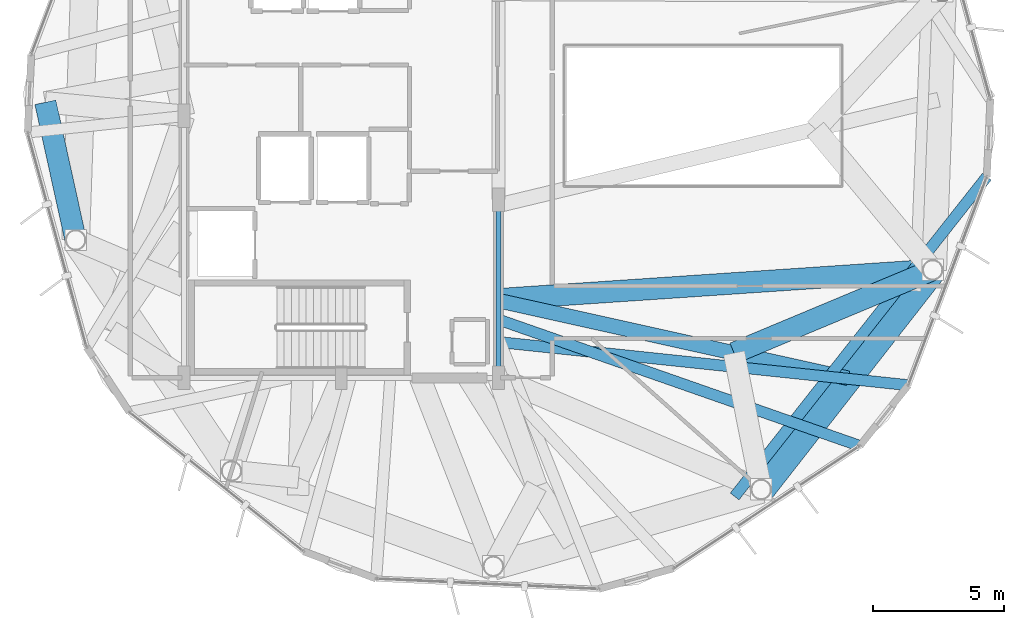
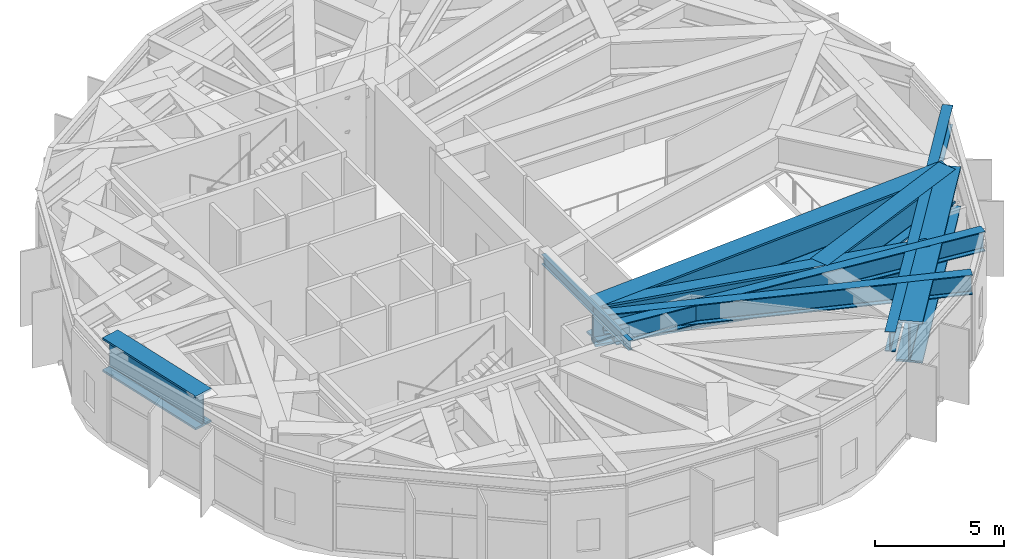
# One storey, part 9 of 27: 9 beams.
"""IFC4 building model written with IfcOpenShell, lengths in metres."""

from ifc_helpers import new_model, si_unit, direction, frame, origin, origin_2d, place, context, subcontext, project, spatial, i_section, extrude, material, material_profile, profile_set, type_object, element, save


model = new_model("IFC4")

# Units and contexts
model_context = context("Model", 3, precision=1e-05, world=origin(), true_north=direction((0.0, 1.0)))
body_context = subcontext(model_context, "Body", "Model", "MODEL_VIEW")
ifc_project = project(units=[si_unit("LENGTHUNIT", "METRE"), si_unit("AREAUNIT", "SQUARE_METRE"), si_unit("VOLUMEUNIT", "CUBIC_METRE"), si_unit("PLANEANGLEUNIT", "RADIAN"), si_unit("MASSUNIT", "GRAM", prefix="KILO")], contexts=[model_context])

# Site, building, storey
site_placement = place(None, origin())
site = spatial("IfcSite", under=ifc_project, at=site_placement, CompositionType="ELEMENT")
building_placement = place(site_placement, origin())
building = spatial("IfcBuilding", under=site, at=building_placement, Name="Soratama Intermodal Tower", CompositionType="ELEMENT")
storey_placement = place(building_placement, frame((0.0, 0.0, 288.550048828125)))
storey = spatial("IfcBuildingStorey", under=building, at=storey_placement, Name="L73", CompositionType="ELEMENT", Elevation=288.550048828125)

# Beams
ifc_material_1 = material(Name="Structural steel ASTM A992 Grade 50", Category="steel")
ifc_material_profile_1 = material_profile(ifc_material_1, i_section(OverallWidth=0.19091796875, OverallDepth=0.4599609375, WebThickness=0.010009765625, FlangeThickness=0.01611328125, FilletRadius=0.010986328125, at=origin_2d()), Name="W18X55")
ifc_profile_set_1 = profile_set([ifc_material_profile_1], Name="Structural steel ASTM A992 Grade 50")
beam_type_1 = type_object("IfcBeamType", Name="BM-FLR-W18X55", PredefinedType="BEAM", material=ifc_profile_set_1)
beam_1_placement = place(storey_placement, frame((44.60009765625, 15.0, 3.96484375), z_axis=(0.0, 1.0, 0.0), x_axis=(-1.0, 0.0, 0.0)))
element("IfcBeam", 1, at=beam_1_placement, inside=storey, type_object=beam_type_1, Name="BM-L73-CRING-03", PredefinedType="BEAM", context=body_context, shape_type="SweptSolid", body=[
    extrude(i_section(OverallWidth=0.19091796875, OverallDepth=0.4599609375, WebThickness=0.010009765625, FlangeThickness=0.01611328125, FilletRadius=0.010986328125, at=origin_2d()), origin(), (0.0, 0.0, 1.0), 6.800048828125),
])
ifc_material_2 = material(Name="Structural steel ASTM A992 Grade 50", Category="steel")
ifc_material_profile_2 = material_profile(ifc_material_2, i_section(OverallWidth=0.423095703125, OverallDepth=0.93896484375, WebThickness=0.02392578125, FlangeThickness=0.042724609375, FilletRadius=0.02392578125, at=origin_2d()), Name="W36X302")
ifc_profile_set_2 = profile_set([ifc_material_profile_2], Name="Structural steel ASTM A992 Grade 50")
beam_type_2 = type_object("IfcBeamType", Name="BM-POD-W36X302", PredefinedType="BEAM", material=ifc_profile_set_2)
beam_2_placement = place(storey_placement, frame((44.637939453125, 17.2080078125, 3.725341796875), z_axis=(0.94397645688, -0.330012801049, 0.0), x_axis=(0.330012801049, 0.94397645688, 0.0)))
element("IfcBeam", 2, at=beam_2_placement, inside=storey, type_object=beam_type_2, Name="BM-L73-TIE1-07", PredefinedType="BEAM", context=body_context, shape_type="SweptSolid", body=[
    extrude(i_section(OverallWidth=0.423095703125, OverallDepth=0.93896484375, WebThickness=0.02392578125, FlangeThickness=0.042724609375, FilletRadius=0.02392578125, at=origin_2d()), origin(), (0.0, 0.0, 1.0), 14.559814453125),
])
beam_3_placement = place(storey_placement, frame((44.639892578125, 16.362060546875, 3.725341796875), z_axis=(0.994501357042, -0.10472368806, 0.0), x_axis=(0.10472368806, 0.994501357042, 0.0)))
element("IfcBeam", 3, at=beam_3_placement, inside=storey, type_object=beam_type_2, Name="BM-L73-TIE0-08", PredefinedType="BEAM", context=body_context, shape_type="SweptSolid", body=[
    extrude(i_section(OverallWidth=0.423095703125, OverallDepth=0.93896484375, WebThickness=0.02392578125, FlangeThickness=0.042724609375, FilletRadius=0.02392578125, at=origin_2d()), origin(), (0.0, 0.0, 1.0), 15.68017578125),
])
beam_4_placement = place(storey_placement, frame((53.60595703125, 10.47509765625, 3.725341796875), z_axis=(0.619346235359, 0.785117978871, 0.0), x_axis=(-0.785117978871, 0.619346235359, 0.0)))
element("IfcBeam", 4, at=beam_4_placement, inside=storey, type_object=beam_type_2, Name="BM-L73-TIE1-08", PredefinedType="BEAM", context=body_context, shape_type="SweptSolid", body=[
    extrude(i_section(OverallWidth=0.423095703125, OverallDepth=0.93896484375, WebThickness=0.02392578125, FlangeThickness=0.042724609375, FilletRadius=0.02392578125, at=origin_2d()), origin(), (0.0, 0.0, 1.0), 15.5390625),
])
ifc_material_3 = material(Name="Structural steel ASTM A992 Grade 50", Category="steel")
ifc_material_profile_3 = material_profile(ifc_material_3, i_section(OverallWidth=0.56005859375, OverallDepth=1.919921875, WebThickness=0.05810546875, FlangeThickness=0.110107421875, FilletRadius=0.02392578125, at=origin_2d()), Name="PG2150X720")
ifc_profile_set_3 = profile_set([ifc_material_profile_3], Name="Structural steel ASTM A992 Grade 50")
beam_type_3 = type_object("IfcBeamType", Name="BM-ZSTEP-LONG", PredefinedType="BEAM", material=ifc_profile_set_3)
beam_5_placement = place(storey_placement, frame((57.93408203125, 14.98388671875, 3.23486328125), z_axis=(-0.976232040785, 0.216727945923, 0.0), x_axis=(-0.216727945923, -0.976232040785, 0.0)))
element("IfcBeam", 5, at=beam_5_placement, inside=storey, type_object=beam_type_3, Name="BM-L73-ZCHORD-09", PredefinedType="BEAM", context=body_context, shape_type="SweptSolid", body=[
    extrude(i_section(OverallWidth=0.56005859375, OverallDepth=1.919921875, WebThickness=0.05810546875, FlangeThickness=0.110107421875, FilletRadius=0.02392578125, at=origin_2d()), origin(), (0.0, 0.0, 1.0), 13.65869140625),
])
ifc_material_4 = material(Name="Structural steel ASTM A992 Grade 50", Category="steel")
ifc_material_profile_4 = material_profile(ifc_material_4, i_section(OverallWidth=0.820068359375, OverallDepth=1.699951171875, WebThickness=0.053955078125, FlangeThickness=0.087890625, FilletRadius=0.02392578125, at=origin_2d()), Name="PG1580X800")
ifc_profile_set_4 = profile_set([ifc_material_profile_4], Name="Structural steel ASTM A992 Grade 50")
beam_type_4 = type_object("IfcBeamType", Name="BM-ZSTEP-PG1580", PredefinedType="BEAM", material=ifc_profile_set_4)
beam_6_placement = place(storey_placement, frame((44.60009765625, 18.0, 3.344970703125), z_axis=(0.997733912176, 0.067283285401, 0.0), x_axis=(-0.067283285401, 0.997733912176, 0.0)))
element("IfcBeam", 6, at=beam_6_placement, inside=storey, type_object=beam_type_4, Name="BM-L73-RAD-10", PredefinedType="BEAM", context=body_context, shape_type="SweptSolid", body=[
    extrude(i_section(OverallWidth=0.820068359375, OverallDepth=1.699951171875, WebThickness=0.053955078125, FlangeThickness=0.087890625, FilletRadius=0.02392578125, at=origin_2d()), origin(), (0.0, 0.0, 1.0), 16.6005859375),
])
ifc_material_5 = material(Name="Structural steel ASTM A992 Grade 50", Category="steel")
ifc_material_profile_5 = material_profile(ifc_material_5, i_section(OverallWidth=0.820068359375, OverallDepth=1.60205078125, WebThickness=0.055908203125, FlangeThickness=0.092041015625, FilletRadius=0.02392578125, at=origin_2d()), Name="PG1600X650")
ifc_profile_set_5 = profile_set([ifc_material_profile_5], Name="Structural steel ASTM A992 Grade 50")
beam_type_5 = type_object("IfcBeamType", Name="BM-ZSTEP-PG1600", PredefinedType="BEAM", material=ifc_profile_set_5)
beam_7_placement = place(storey_placement, frame((27.30908203125, 25.512939453125, 3.39404296875), z_axis=(0.215060893934, -0.976600640948, 0.0), x_axis=(0.976600640948, 0.215060893934, 0.0)))
element("IfcBeam", 7, at=beam_7_placement, inside=storey, type_object=beam_type_5, Name="BM-L73-ZSTEP-B05", PredefinedType="BEAM", context=body_context, shape_type="SweptSolid", body=[
    extrude(i_section(OverallWidth=0.820068359375, OverallDepth=1.60205078125, WebThickness=0.055908203125, FlangeThickness=0.092041015625, FilletRadius=0.02392578125, at=origin_2d()), origin(), (0.0, 0.0, 1.0), 5.3798828125),
])
beam_8_placement = place(storey_placement, frame((53.583984375, 15.949951171875, 3.39404296875), z_axis=(0.92268601806, 0.385552217056, 0.0), x_axis=(-0.385552217056, 0.92268601806, 0.0)))
element("IfcBeam", 8, at=beam_8_placement, inside=storey, type_object=beam_type_5, Name="BM-L73-ZSTEP-B09", PredefinedType="BEAM", context=body_context, shape_type="SweptSolid", body=[
    extrude(i_section(OverallWidth=0.820068359375, OverallDepth=1.60205078125, WebThickness=0.055908203125, FlangeThickness=0.092041015625, FilletRadius=0.02392578125, at=origin_2d()), origin(), (0.0, 0.0, 1.0), 8.214111328125),
])
ifc_material_6 = material(Name="Structural steel ASTM A992 Grade 50", Category="steel")
ifc_material_profile_6 = material_profile(ifc_material_6, i_section(OverallWidth=1.06005859375, OverallDepth=1.9599609375, WebThickness=0.05810546875, FlangeThickness=0.095947265625, FilletRadius=0.02392578125, at=origin_2d()), Name="PG2400X900")
ifc_profile_set_6 = profile_set([ifc_material_profile_6], Name="Structural steel ASTM A992 Grade 50")
beam_type_6 = type_object("IfcBeamType", Name="BM-ZSTEP-PG2400", PredefinedType="BEAM", material=ifc_profile_set_6)
beam_9_placement = place(storey_placement, frame((54.617919921875, 10.740966796875, 3.21484375), z_axis=(0.6157278291, 0.787958907858, 0.0), x_axis=(-0.787958907858, 0.6157278291, 0.0)))
element("IfcBeam", 9, at=beam_9_placement, inside=storey, type_object=beam_type_6, Name="BM-L73-RING-09", PredefinedType="BEAM", context=body_context, shape_type="SweptSolid", body=[
    extrude(i_section(OverallWidth=1.06005859375, OverallDepth=1.9599609375, WebThickness=0.05810546875, FlangeThickness=0.095947265625, FilletRadius=0.02392578125, at=origin_2d()), origin(), (0.0, 0.0, 1.0), 10.6298828125),
])

save(model, "model.ifc")
